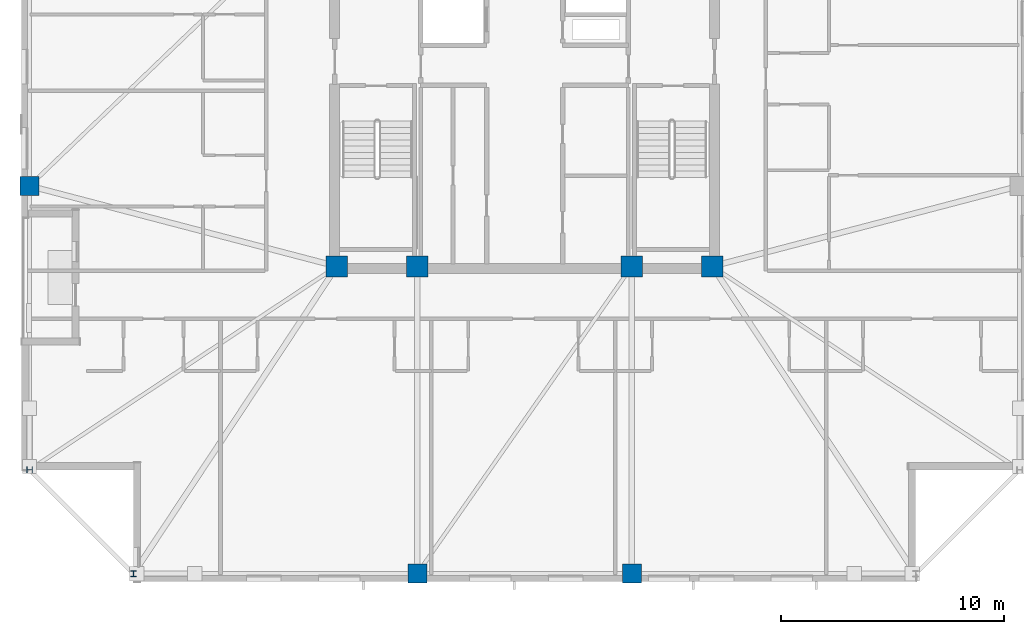
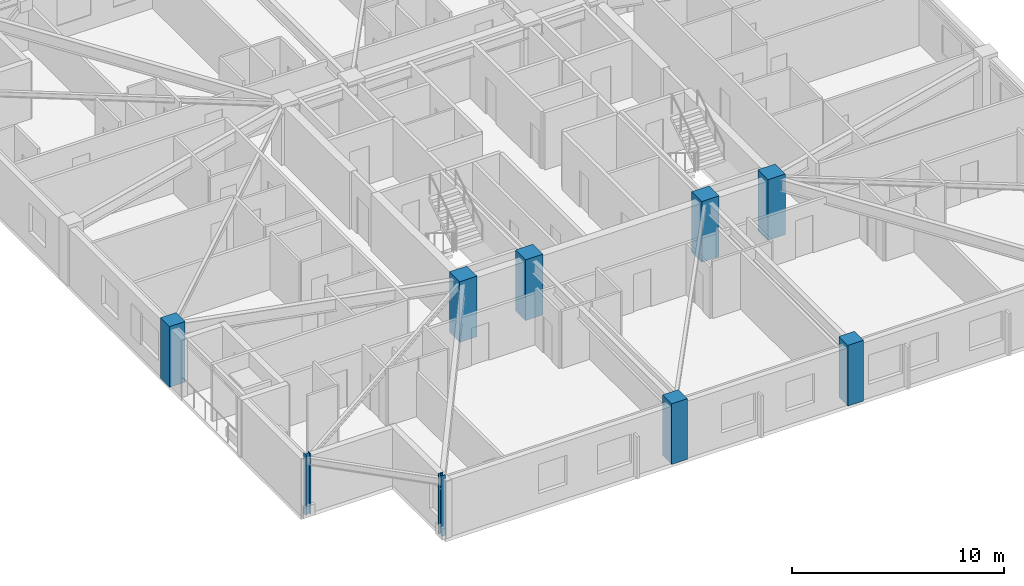
# One storey, part 1 of 17: 9 columns.
"""IFC4 building model written with IfcOpenShell, lengths in metres."""

from ifc_helpers import new_model, si_unit, direction, frame, origin, origin_2d, place, context, subcontext, project, spatial, rectangle, i_section, extrude, material, material_profile, profile_set, type_object, element, save


model = new_model("IFC4")

# Units and contexts
model_context = context("Model", 3, precision=1e-05, world=origin(), true_north=direction((0.0, 1.0)))
body_context = subcontext(model_context, "Body", "Model", "MODEL_VIEW")
ifc_project = project(units=[si_unit("LENGTHUNIT", "METRE"), si_unit("AREAUNIT", "SQUARE_METRE"), si_unit("VOLUMEUNIT", "CUBIC_METRE"), si_unit("PLANEANGLEUNIT", "RADIAN"), si_unit("MASSUNIT", "GRAM", prefix="KILO")], contexts=[model_context])

# Site, building, storey
site_placement = place(None, origin())
site = spatial("IfcSite", under=ifc_project, at=site_placement, CompositionType="ELEMENT")
building_placement = place(site_placement, origin())
building = spatial("IfcBuilding", under=site, at=building_placement, Name="Cairnveth Concourse Tower", CompositionType="ELEMENT")
storey_placement = place(building_placement, frame((0.0, 0.0, 251.5)))
storey = spatial("IfcBuildingStorey", under=building, at=storey_placement, Name="L69", CompositionType="ELEMENT", Elevation=251.5)

# Columns
ifc_material_1 = material(Name="Concrete N65 (65 MPa)", Category="concrete")
ifc_material_profile_1 = material_profile(ifc_material_1, rectangle(XDim=0.949951171875, YDim=0.949951171875, at=origin_2d()), Name="RC-COL-950x950")
ifc_profile_set_1 = profile_set([ifc_material_profile_1], Name="Concrete N65 (65 MPa)")
column_type_1 = type_object("IfcColumnType", Name="CORE COLUMN 950X950", PredefinedType="COLUMN", material=ifc_profile_set_1)
for number, where, z_axis, x_axis, name in (
    (1, (43.60009765625, 30.60009765625, 0.0), (0.0, 0.0, 1.0), (1.0, 0.0, 0.0), "Column CC1 L69"),
    (2, (47.199951171875, 30.60009765625, 0.0), (0.0, 0.0, 1.0), (1.0, 0.0, 0.0), "Column CC2 L69"),
    (3, (56.800048828125, 30.60009765625, 0.0), (0.0, 0.0, 1.0), (1.0, 0.0, 0.0), "Column CC3 L69"),
    (4, (60.39990234375, 30.60009765625, 0.0), (0.0, 0.0, 1.0), (1.0, 0.0, 0.0), "Column CC4 L69"),
):
    element("IfcColumn", number, at=place(storey_placement, frame(where, z_axis=z_axis, x_axis=x_axis)), inside=storey, type_object=column_type_1, Name=name, PredefinedType="COLUMN", context=body_context, shape_type="SweptSolid", body=[
        extrude(rectangle(XDim=0.949951171875, YDim=0.949951171875, at=origin_2d()), origin(), (0.0, 0.0, 1.0), 3.5),
    ])
ifc_material_profile_2 = material_profile(ifc_material_1, rectangle(XDim=0.85009765625, YDim=0.85009765625, at=origin_2d()), Name="RC-COL-850x850")
ifc_profile_set_2 = profile_set([ifc_material_profile_2], Name="Concrete N65 (65 MPa)")
column_type_2 = type_object("IfcColumnType", Name="PERIMETER PIER COLUMN 850X850", PredefinedType="COLUMN", material=ifc_profile_set_2)
for number, where, z_axis, x_axis, name in (
    (5, (47.199951171875, 16.85009765625, 0.0), (0.0, 0.0, 1.0), (1.0, 0.0, 0.0), "Column P-S2 L69"),
    (6, (56.800048828125, 16.85009765625, 0.0), (0.0, 0.0, 1.0), (1.0, 0.0, 0.0), "Column P-S3 L69"),
    (7, (29.85009765625, 34.199951171875, 0.0), (0.0, 0.0, 1.0), (0.0, 1.0, 0.0), "Column P-W3 L69"),
):
    element("IfcColumn", number, at=place(storey_placement, frame(where, z_axis=z_axis, x_axis=x_axis)), inside=storey, type_object=column_type_2, Name=name, PredefinedType="COLUMN", context=body_context, shape_type="SweptSolid", body=[
        extrude(rectangle(XDim=0.85009765625, YDim=0.85009765625, at=origin_2d()), origin(), (0.0, 0.0, 1.0), 3.5),
    ])
ifc_material_2 = material(Name="Steel Grade 350", Category="steel")
ifc_material_profile_3 = material_profile(ifc_material_2, i_section(OverallWidth=0.256103515625, OverallDepth=0.260009765625, WebThickness=0.010498046875, FlangeThickness=0.017333984375, FilletRadius=0.012939453125, at=origin_2d()), Name="250UC89.5")
ifc_profile_set_3 = profile_set([ifc_material_profile_3], Name="Steel Grade 350")
column_type_3 = type_object("IfcColumnType", Name="UNIVERSAL STEEL COLUMN 250UC89.5", PredefinedType="COLUMN", material=ifc_profile_set_3)
for number, where, z_axis, x_axis, name in (
    (8, (34.5, 16.85009765625, 0.0), (0.0, 0.0, 1.0), (1.0, 0.0, 0.0), "Column P-S1 L69"),
    (9, (29.85009765625, 21.5, 0.0), (0.0, 0.0, 1.0), (0.0, 1.0, 0.0), "Column P-W4 L69"),
):
    element("IfcColumn", number, at=place(storey_placement, frame(where, z_axis=z_axis, x_axis=x_axis)), inside=storey, type_object=column_type_3, Name=name, PredefinedType="COLUMN", context=body_context, shape_type="SweptSolid", body=[
        extrude(i_section(OverallWidth=0.256103515625, OverallDepth=0.260009765625, WebThickness=0.010498046875, FlangeThickness=0.017333984375, FilletRadius=0.012939453125, at=origin_2d()), origin(), (0.0, 0.0, 1.0), 3.5),
    ])

save(model, "model.ifc")
